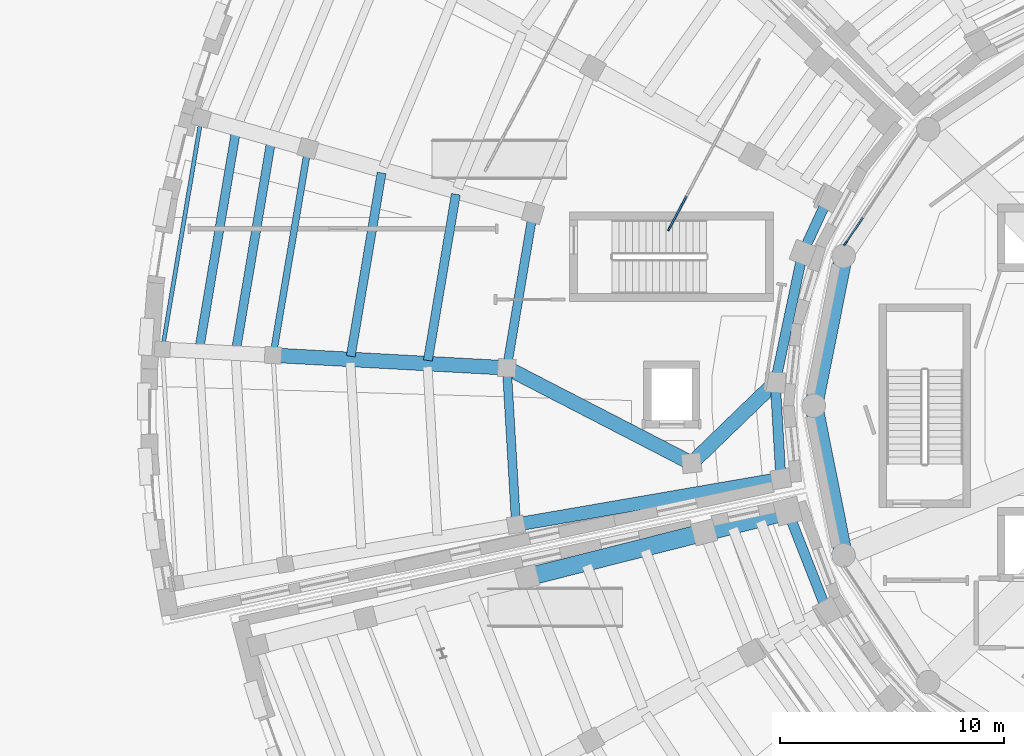
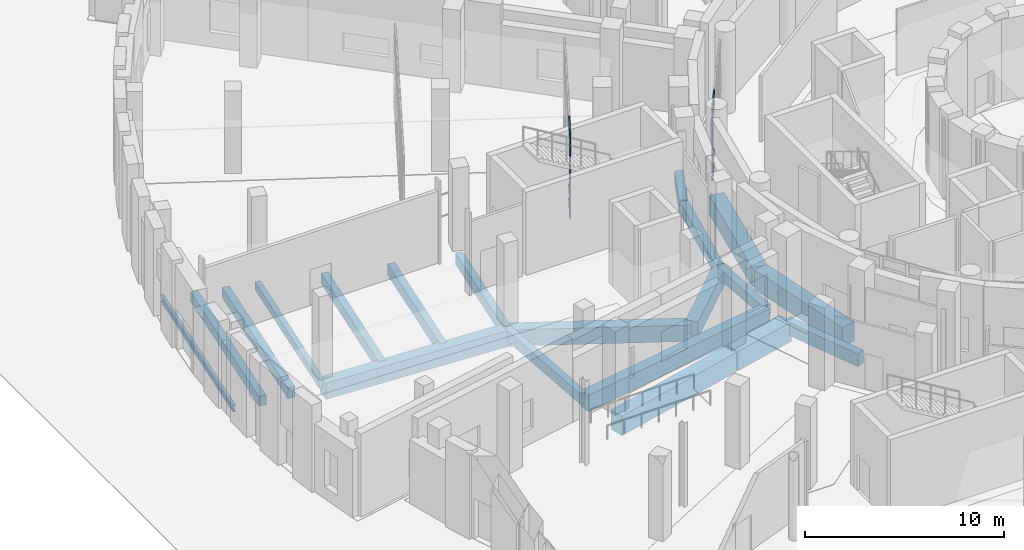
# One storey, part 12 of 74: 20 beams, 10 members, 2 elements without a shape of their own.
"""IFC4 building model written with IfcOpenShell, lengths in metres."""

from ifc_helpers import new_model, si_unit, direction, frame, origin, origin_2d, place, context, subcontext, project, spatial, rectangle, i_section, extrude, material, material_profile, profile_set, type_object, element, aggregate, save


model = new_model("IFC4")

# Units and contexts
model_context = context("Model", 3, precision=1e-05, world=origin(), true_north=direction((0.0, 1.0)))
body_context = subcontext(model_context, "Body", "Model", "MODEL_VIEW")
ifc_project = project(units=[si_unit("LENGTHUNIT", "METRE"), si_unit("AREAUNIT", "SQUARE_METRE"), si_unit("VOLUMEUNIT", "CUBIC_METRE"), si_unit("PLANEANGLEUNIT", "RADIAN"), si_unit("MASSUNIT", "GRAM", prefix="KILO")], contexts=[model_context])

# Site, building, storey
site_placement = place(None, origin())
site = spatial("IfcSite", under=ifc_project, at=site_placement, CompositionType="ELEMENT")
building_placement = place(site_placement, origin())
building = spatial("IfcBuilding", under=site, at=building_placement, Name="Soyqirgoq Riverine Aquarium", CompositionType="ELEMENT")
storey_placement = place(building_placement, origin())
storey = spatial("IfcBuildingStorey", under=building, at=storey_placement, Name="L01", CompositionType="ELEMENT", Elevation=0.0)

# Beams
ifc_material_1 = material(Name="Concrete C40/50", Category="concrete")
ifc_material_profile_1 = material_profile(ifc_material_1, rectangle(XDim=0.39990234375, YDim=0.60009765625, at=origin_2d()), Name="RC 400x600")
ifc_profile_set_1 = profile_set([ifc_material_profile_1], Name="Concrete C40/50")
beam_type_1 = type_object("IfcBeamType", Name="Beam_RC_400x600", PredefinedType="JOIST", material=ifc_profile_set_1)
beam_1_placement = place(storey_placement, frame((12.752197265625, 69.25634765625, -0.64990234375), z_axis=(-0.165906209176, -0.986141536371, 0.0), x_axis=(0.986141536371, -0.165906209176, 0.0)))
element("IfcBeam", 1, at=beam_1_placement, inside=storey, type_object=beam_type_1, Name="V3 L01 Secondary Floor Joist 0351", PredefinedType="JOIST", context=body_context, shape_type="SweptSolid", body=[
    extrude(rectangle(XDim=0.39990234375, YDim=0.60009765625, at=origin_2d()), origin(), (0.0, 0.0, 1.0), 9.82275390625),
])
ifc_material_2 = material(Name="Concrete C40/50", Category="concrete")
ifc_material_profile_2 = material_profile(ifc_material_2, rectangle(XDim=0.39990234375, YDim=0.64990234375, at=origin_2d()), Name="RC 400x650")
ifc_profile_set_2 = profile_set([ifc_material_profile_2], Name="Concrete C40/50")
beam_type_2 = type_object("IfcBeamType", Name="Beam_RC_400x650", PredefinedType="BEAM", material=ifc_profile_set_2)
beam_2_placement = place(storey_placement, frame((24.8486328125, 58.637451171875, -0.675048828125), z_axis=(0.058440332484, -0.998290903264, 0.0), x_axis=(0.998290903264, 0.058440332484, 0.0)))
element("IfcBeam", 2, at=beam_2_placement, inside=storey, type_object=beam_type_2, Name="V3 L01 Wedge Chord Beam 0333", PredefinedType="BEAM", context=body_context, shape_type="SweptSolid", body=[
    extrude(rectangle(XDim=0.39990234375, YDim=0.64990234375, at=origin_2d()), origin(), (0.0, 0.0, 1.0), 6.90966796875),
])
beam_3_placement = place(storey_placement, frame((19.255126953125, 67.3916015625, -0.675048828125), z_axis=(-0.165905626818, -0.986141634346, 0.0), x_axis=(0.986141634346, -0.165905626818, 0.0)))
element("IfcBeam", 3, at=beam_3_placement, inside=storey, type_object=beam_type_2, Name="V3 L01 Secondary Floor Joist 0339", PredefinedType="BEAM", context=body_context, shape_type="SweptSolid", body=[
    extrude(rectangle(XDim=0.39990234375, YDim=0.64990234375, at=origin_2d()), origin(), (0.0, 0.0, 1.0), 8.302490234375),
])
beam_4_placement = place(storey_placement, frame((14.322509765625, 68.80615234375, -0.675048828125), z_axis=(-0.165914452548, -0.98614014949, 0.0), x_axis=(0.98614014949, -0.165914452548, 0.0)))
element("IfcBeam", 4, at=beam_4_placement, inside=storey, type_object=beam_type_2, Name="V3 L01 Secondary Floor Joist 0350", PredefinedType="BEAM", context=body_context, shape_type="SweptSolid", body=[
    extrude(rectangle(XDim=0.39990234375, YDim=0.64990234375, at=origin_2d()), origin(), (0.0, 0.0, 1.0), 9.455810546875),
])
ifc_material_3 = material(Name="Concrete C40/50", Category="concrete")
ifc_material_profile_3 = material_profile(ifc_material_3, rectangle(XDim=0.39990234375, YDim=0.699951171875, at=origin_2d()), Name="RC 400x700")
ifc_profile_set_3 = profile_set([ifc_material_profile_3], Name="Concrete C40/50")
beam_type_3 = type_object("IfcBeamType", Name="Beam_RC_400x700", PredefinedType="BEAM", material=ifc_profile_set_3)
beam_5_placement = place(storey_placement, frame((26.000244140625, 65.550537109375, -0.699951171875), z_axis=(-0.165888516221, -0.986144512831, 0.0), x_axis=(0.986144512831, -0.165888516221, 0.0)))
element("IfcBeam", 5, at=beam_5_placement, inside=storey, type_object=beam_type_3, Name="V3 L01 Wedge Chord Beam 0332", PredefinedType="BEAM", context=body_context, shape_type="SweptSolid", body=[
    extrude(rectangle(XDim=0.39990234375, YDim=0.699951171875, at=origin_2d()), origin(), (0.0, 0.0, 1.0), 6.90966796875),
])
beam_6_placement = place(storey_placement, frame((22.570068359375, 66.441162109375, -0.699951171875), z_axis=(-0.165918682022, -0.986139437887, 0.0), x_axis=(0.986139437887, -0.165918682022, 0.0)))
element("IfcBeam", 6, at=beam_6_placement, inside=storey, type_object=beam_type_3, Name="V3 L01 Secondary Floor Joist 0338", PredefinedType="BEAM", context=body_context, shape_type="SweptSolid", body=[
    extrude(rectangle(XDim=0.39990234375, YDim=0.699951171875, at=origin_2d()), origin(), (0.0, 0.0, 1.0), 7.52783203125),
])
ifc_material_4 = material(Name="Concrete C40/50", Category="concrete")
ifc_material_profile_4 = material_profile(ifc_material_4, rectangle(XDim=0.449951171875, YDim=0.64990234375, at=origin_2d()), Name="RC 450x650")
ifc_profile_set_4 = profile_set([ifc_material_profile_4], Name="Concrete C40/50")
beam_type_4 = type_object("IfcBeamType", Name="Beam_RC_450x650", PredefinedType="BEAM", material=ifc_profile_set_4)
beam_7_placement = place(storey_placement, frame((36.8310546875, 57.98828125, -0.675048828125), z_axis=(0.058463876628, -0.998289524702, 0.0), x_axis=(0.998289524702, 0.058463876628, 0.0)))
element("IfcBeam", 7, at=beam_7_placement, inside=storey, type_object=beam_type_4, Name="V3 L01 Wedge Chord Beam 0324", PredefinedType="BEAM", context=body_context, shape_type="SweptSolid", body=[
    extrude(rectangle(XDim=0.449951171875, YDim=0.64990234375, at=origin_2d()), origin(), (0.0, 0.0, 1.0), 4.213623046875),
])
ifc_material_5 = material(Name="Concrete C40/50", Category="concrete")
ifc_material_profile_5 = material_profile(ifc_material_5, rectangle(XDim=0.449951171875, YDim=0.699951171875, at=origin_2d()), Name="RC 450x700")
ifc_profile_set_5 = profile_set([ifc_material_profile_5], Name="Concrete C40/50")
beam_type_5 = type_object("IfcBeamType", Name="Beam_RC_450x700", PredefinedType="BEAM", material=ifc_profile_set_5)
beam_8_placement = place(storey_placement, frame((38.041015625, 63.769287109375, -0.699951171875), z_axis=(-0.207065366645, -0.978327109885, 0.0), x_axis=(0.978327109885, -0.207065366645, 0.0)))
element("IfcBeam", 8, at=beam_8_placement, inside=storey, type_object=beam_type_5, Name="V3 L01 Wedge Chord Beam 0323", PredefinedType="BEAM", context=body_context, shape_type="SweptSolid", body=[
    extrude(rectangle(XDim=0.449951171875, YDim=0.699951171875, at=origin_2d()), origin(), (0.0, 0.0, 1.0), 5.80810546875),
])
ifc_material_6 = material(Name="Concrete C40/50", Category="concrete")
ifc_material_profile_6 = material_profile(ifc_material_6, rectangle(XDim=0.449951171875, YDim=0.75, at=origin_2d()), Name="RC 450x750")
ifc_profile_set_6 = profile_set([ifc_material_profile_6], Name="Concrete C40/50")
beam_type_6 = type_object("IfcBeamType", Name="Beam_RC_450x750", PredefinedType="BEAM", material=ifc_profile_set_6)
beam_9_placement = place(storey_placement, frame((39.170166015625, 66.233642578125, -0.72509765625), z_axis=(-0.420320258239, -0.907375820988, 0.0), x_axis=(0.907375820988, -0.420320258239, 0.0)))
element("IfcBeam", 9, at=beam_9_placement, inside=storey, type_object=beam_type_6, Name="V3 L01 Wedge Chord Beam 0322", PredefinedType="BEAM", context=body_context, shape_type="SweptSolid", body=[
    extrude(rectangle(XDim=0.449951171875, YDim=0.75, at=origin_2d()), origin(), (0.0, 0.0, 1.0), 2.612060546875),
])
ifc_material_7 = material(Name="Concrete C40/50", Category="concrete")
ifc_material_profile_7 = material_profile(ifc_material_7, rectangle(XDim=0.449951171875, YDim=0.800048828125, at=origin_2d()), Name="RC 450x800")
ifc_profile_set_7 = profile_set([ifc_material_profile_7], Name="Concrete C40/50")
beam_type_7 = type_object("IfcBeamType", Name="Beam_RC_450x800", PredefinedType="BEAM", material=ifc_profile_set_7)
beam_10_placement = place(storey_placement, frame((37.40478515625, 52.243408203125, -0.75), z_axis=(0.364914965548, -0.931040851907, 0.0), x_axis=(0.931040851907, 0.364914965548, 0.0)))
element("IfcBeam", 10, at=beam_10_placement, inside=storey, type_object=beam_type_7, Name="V2 L01 Wedge Chord Beam 0189", PredefinedType="BEAM", context=body_context, shape_type="SweptSolid", body=[
    extrude(rectangle(XDim=0.449951171875, YDim=0.800048828125, at=origin_2d()), origin(), (0.0, 0.0, 1.0), 4.712646484375),
])

# Curtain wall, member
ifc_material_8 = material(Name="Anodised aluminium thermally broken triple low-E glazing", Category="aluminium")
curtain_wall_type_1 = type_object("IfcCurtainWallType", Name="CW_DrumGallery_Unitised", PredefinedType="NOTDEFINED", material=ifc_material_8)
curtain_wall_1_placement = place(storey_placement, origin())
curtain_wall_1 = element("IfcCurtainWall", 11, at=curtain_wall_1_placement, inside=storey, type_object=curtain_wall_type_1, Name="V1 L01 Curtain Wall 023", PredefinedType="NOTDEFINED")
ifc_material_9 = material(Name="Anodised aluminium 6063-T6", Category="aluminium")
ifc_material_profile_8 = material_profile(ifc_material_9, rectangle(XDim=0.080078125, YDim=0.219970703125, at=origin_2d()), Name="ALU-M 80x220")
ifc_profile_set_8 = profile_set([ifc_material_profile_8], Name="Anodised aluminium 6063-T6")
member_type_1 = type_object("IfcMemberType", Name="CWMullion_80x220", PredefinedType="MULLION", material=ifc_profile_set_8)
member_1_placement = place(storey_placement, frame((39.966796875, 64.25146484375, 0.0), z_axis=(0.0, 0.0, 1.0), x_axis=(0.831467275509, -0.555573730262, 0.0)))
member_1 = element("IfcMember", 12, at=member_1_placement, type_object=member_type_1, Name="CW-01 mullion 5", PredefinedType="MULLION", context=body_context, shape_type="SweptSolid", body=[
    extrude(rectangle(XDim=0.080078125, YDim=0.219970703125, at=origin_2d()), origin(), (0.0, 0.0, 1.0), 4.550048828125),
])

ifc_material_10 = material(Name="Cast polymethyl methacrylate PMMA Habitat Viewing Glazing", Category="glass")
curtain_wall_type_2 = type_object("IfcCurtainWallType", Name="CW_Interior_TankVitrine", PredefinedType="NOTDEFINED", material=ifc_material_10)
curtain_wall_2_placement = place(storey_placement, origin())
curtain_wall_2 = element("IfcCurtainWall", 13, at=curtain_wall_2_placement, inside=storey, type_object=curtain_wall_type_2, Name="V3 L01 Curtain Wall 147", PredefinedType="NOTDEFINED")
member_2_placement = place(storey_placement, frame((32.09912109375, 64.910888671875, 0.0), z_axis=(0.0, 0.0, 1.0), x_axis=(0.882946853562, -0.469472953199, 0.0)))
member_2 = element("IfcMember", 14, at=member_2_placement, type_object=member_type_1, Name="CW-07 mullion 6", PredefinedType="MULLION", context=body_context, shape_type="SweptSolid", body=[
    extrude(rectangle(XDim=0.080078125, YDim=0.219970703125, at=origin_2d()), origin(), (0.0, 0.0, 1.0), 5.10009765625),
])

# Member
ifc_material_11 = material(Name="Anodised aluminium 6063-T6", Category="aluminium")
ifc_material_profile_9 = material_profile(ifc_material_11, rectangle(XDim=0.074951171875, YDim=0.14990234375, at=origin_2d()), Name="ALU-T 75x150")
ifc_profile_set_9 = profile_set([ifc_material_profile_9], Name="Anodised aluminium 6063-T6")
member_type_2 = type_object("IfcMemberType", Name="CWTransom_75x150", PredefinedType="USERDEFINED", material=ifc_profile_set_9)
member_3_placement = place(storey_placement, frame((40.73291015625, 65.398193359375, 0.03759765625), z_axis=(-0.555583520837, -0.831460733513, 0.0), x_axis=(0.831460733513, -0.555583520837, 0.0)))
member_3 = element("IfcMember", 15, at=member_3_placement, type_object=member_type_2, Name="CW-01 transom 4.1", ObjectType="TRANSOM", PredefinedType="USERDEFINED", context=body_context, shape_type="SweptSolid", body=[
    extrude(rectangle(XDim=0.074951171875, YDim=0.14990234375, at=origin_2d()), origin(), (0.0, 0.0, 1.0), 1.3388671875),
])

member_4_placement = place(storey_placement, frame((40.73291015625, 65.398193359375, 0.89990234375), z_axis=(-0.555583520837, -0.831460733513, 0.0), x_axis=(0.831460733513, -0.555583520837, 0.0)))
member_4 = element("IfcMember", 16, at=member_4_placement, type_object=member_type_2, Name="CW-01 transom 4.2", ObjectType="TRANSOM", PredefinedType="USERDEFINED", context=body_context, shape_type="SweptSolid", body=[
    extrude(rectangle(XDim=0.074951171875, YDim=0.14990234375, at=origin_2d()), origin(), (0.0, 0.0, 1.0), 1.3388671875),
])

member_5_placement = place(storey_placement, frame((40.73291015625, 65.398193359375, 3.85009765625), z_axis=(-0.555583520837, -0.831460733513, 0.0), x_axis=(0.831460733513, -0.555583520837, 0.0)))
member_5 = element("IfcMember", 17, at=member_5_placement, type_object=member_type_2, Name="CW-01 transom 4.3", ObjectType="TRANSOM", PredefinedType="USERDEFINED", context=body_context, shape_type="SweptSolid", body=[
    extrude(rectangle(XDim=0.074951171875, YDim=0.14990234375, at=origin_2d()), origin(), (0.0, 0.0, 1.0), 1.3388671875),
])

member_6_placement = place(storey_placement, frame((40.73291015625, 65.398193359375, 4.512451171875), z_axis=(-0.555583520837, -0.831460733513, 0.0), x_axis=(0.831460733513, -0.555583520837, 0.0)))
member_6 = element("IfcMember", 18, at=member_6_placement, type_object=member_type_2, Name="CW-01 transom 4.4", ObjectType="TRANSOM", PredefinedType="USERDEFINED", context=body_context, shape_type="SweptSolid", body=[
    extrude(rectangle(XDim=0.074951171875, YDim=0.14990234375, at=origin_2d()), origin(), (0.0, 0.0, 1.0), 1.3388671875),
])

aggregate(curtain_wall_1, [member_1, member_3, member_4, member_5, member_6])

member_7_placement = place(storey_placement, frame((32.864501953125, 66.350341796875, 0.03759765625), z_axis=(-0.46942457219, -0.882972576598, 0.0), x_axis=(0.882972576598, -0.46942457219, 0.0)))
member_7 = element("IfcMember", 19, at=member_7_placement, type_object=member_type_2, Name="CW-07 transom 5.1", ObjectType="TRANSOM", PredefinedType="USERDEFINED", context=body_context, shape_type="SweptSolid", body=[
    extrude(rectangle(XDim=0.074951171875, YDim=0.14990234375, at=origin_2d()), origin(), (0.0, 0.0, 1.0), 1.59033203125),
])

member_8_placement = place(storey_placement, frame((32.864501953125, 66.350341796875, 0.89990234375), z_axis=(-0.46942457219, -0.882972576598, 0.0), x_axis=(0.882972576598, -0.46942457219, 0.0)))
member_8 = element("IfcMember", 20, at=member_8_placement, type_object=member_type_2, Name="CW-07 transom 5.2", ObjectType="TRANSOM", PredefinedType="USERDEFINED", context=body_context, shape_type="SweptSolid", body=[
    extrude(rectangle(XDim=0.074951171875, YDim=0.14990234375, at=origin_2d()), origin(), (0.0, 0.0, 1.0), 1.59033203125),
])

member_9_placement = place(storey_placement, frame((32.864501953125, 66.350341796875, 4.39990234375), z_axis=(-0.46942457219, -0.882972576598, 0.0), x_axis=(0.882972576598, -0.46942457219, 0.0)))
member_9 = element("IfcMember", 21, at=member_9_placement, type_object=member_type_2, Name="CW-07 transom 5.3", ObjectType="TRANSOM", PredefinedType="USERDEFINED", context=body_context, shape_type="SweptSolid", body=[
    extrude(rectangle(XDim=0.074951171875, YDim=0.14990234375, at=origin_2d()), origin(), (0.0, 0.0, 1.0), 1.59033203125),
])

member_10_placement = place(storey_placement, frame((32.864501953125, 66.350341796875, 5.0625), z_axis=(-0.46942457219, -0.882972576598, 0.0), x_axis=(0.882972576598, -0.46942457219, 0.0)))
member_10 = element("IfcMember", 22, at=member_10_placement, type_object=member_type_2, Name="CW-07 transom 5.4", ObjectType="TRANSOM", PredefinedType="USERDEFINED", context=body_context, shape_type="SweptSolid", body=[
    extrude(rectangle(XDim=0.074951171875, YDim=0.14990234375, at=origin_2d()), origin(), (0.0, 0.0, 1.0), 1.59033203125),
])

aggregate(curtain_wall_2, [member_2, member_7, member_8, member_9, member_10])

# Beams
ifc_material_12 = material(Name="Concrete C40/50", Category="concrete")
ifc_material_profile_10 = material_profile(ifc_material_12, rectangle(XDim=0.60009765625, YDim=1.0, at=origin_2d()), Name="RC 600x1000")
ifc_profile_set_10 = profile_set([ifc_material_profile_10], Name="Concrete C40/50")
beam_type_8 = type_object("IfcBeamType", Name="Girder_RC_600x1000", PredefinedType="BEAM", material=ifc_profile_set_10)
beam_11_placement = place(storey_placement, frame((37.031005859375, 53.723388671875, -0.85009765625), z_axis=(-0.985409255208, -0.17020164438, 0.0), x_axis=(0.17020164438, -0.985409255208, 0.0)))
element("IfcBeam", 23, at=beam_11_placement, inside=storey, type_object=beam_type_8, Name="V3 L01 Wedge Radial Girder 0318", PredefinedType="BEAM", context=body_context, shape_type="SweptSolid", body=[
    extrude(rectangle(XDim=0.60009765625, YDim=1.0, at=origin_2d()), origin(), (0.0, 0.0, 1.0), 11.89990234375),
])
ifc_material_13 = material(Name="Concrete C40/50", Category="concrete")
ifc_material_profile_11 = material_profile(ifc_material_13, rectangle(XDim=0.64990234375, YDim=1.0, at=origin_2d()), Name="RC 650x1000")
ifc_profile_set_11 = profile_set([ifc_material_profile_11], Name="Concrete C40/50")
beam_type_9 = type_object("IfcBeamType", Name="Girder_RC_650x1000", PredefinedType="BEAM", material=ifc_profile_set_11)
beam_12_placement = place(storey_placement, frame((36.7919921875, 58.003662109375, -0.85009765625), z_axis=(-0.719179208553, -0.694824629662, 0.0), x_axis=(0.694824629662, -0.719179208553, 0.0)))
element("IfcBeam", 24, at=beam_12_placement, inside=storey, type_object=beam_type_9, Name="V3 L01 Wedge Radial Girder 0314", PredefinedType="BEAM", context=body_context, shape_type="SweptSolid", body=[
    extrude(rectangle(XDim=0.64990234375, YDim=1.0, at=origin_2d()), origin(), (0.0, 0.0, 1.0), 5.092529296875),
])
beam_13_placement = place(storey_placement, frame((33.04931640625, 54.45361328125, -0.85009765625), z_axis=(-0.88864267975, 0.458600248284, 0.0), x_axis=(-0.458600248284, -0.88864267975, 0.0)))
element("IfcBeam", 25, at=beam_13_placement, inside=storey, type_object=beam_type_9, Name="V3 L01 Wedge Radial Girder 0315", PredefinedType="BEAM", context=body_context, shape_type="SweptSolid", body=[
    extrude(rectangle(XDim=0.64990234375, YDim=1.0, at=origin_2d()), origin(), (0.0, 0.0, 1.0), 9.181640625),
])
beam_14_placement = place(storey_placement, frame((24.7958984375, 58.68994140625, -0.85009765625), z_axis=(-0.998536254205, 0.054086495899, 0.0), x_axis=(-0.054086495899, -0.998536254205, 0.0)))
element("IfcBeam", 26, at=beam_14_placement, inside=storey, type_object=beam_type_9, Name="V3 L01 Wedge Radial Girder 0316", PredefinedType="BEAM", context=body_context, shape_type="SweptSolid", body=[
    extrude(rectangle(XDim=0.64990234375, YDim=1.0, at=origin_2d()), origin(), (0.0, 0.0, 1.0), 10.350341796875),
])
ifc_material_14 = material(Name="Concrete C40/50", Category="concrete")
ifc_material_profile_12 = material_profile(ifc_material_14, rectangle(XDim=0.800048828125, YDim=1.199951171875, at=origin_2d()), Name="RC 800x1200")
ifc_profile_set_12 = profile_set([ifc_material_profile_12], Name="Concrete C40/50")
beam_type_10 = type_object("IfcBeamType", Name="Girder_RC_800x1200", PredefinedType="BEAM", material=ifc_profile_set_12)
for number, where, z_axis, x_axis, name in (
    (27, (39.868408203125, 63.62890625, -1.050048828125), (-0.195059263618, -0.980791457792, 0.0), (0.980791457792, -0.195059263618, 0.0), "V1 L01 Drum Ring Girder 0013"),
    (28, (38.559814453125, 56.950927734375, -1.050048828125), (0.195059263618, -0.980791457792, 0.0), (0.980791457792, 0.195059263618, 0.0), "V1 L01 Drum Ring Girder 0014"),
):
    element("IfcBeam", number, at=place(storey_placement, frame(where, z_axis=z_axis, x_axis=x_axis)), inside=storey, type_object=beam_type_10, Name=name, PredefinedType="BEAM", context=body_context, shape_type="SweptSolid", body=[
        extrude(rectangle(XDim=0.800048828125, YDim=1.199951171875, at=origin_2d()), origin(), (0.0, 0.0, 1.0), 6.708740234375),
    ])
beam_15_placement = place(storey_placement, frame((37.338134765625, 52.27783203125, -0.949951171875), z_axis=(-0.969441467133, -0.245322729896, 0.0), x_axis=(0.245322729896, -0.969441467133, 0.0)))
element("IfcBeam", 29, at=beam_15_placement, inside=storey, type_object=beam_type_10, Name="V2 L01 Wedge Radial Girder 0170", PredefinedType="BEAM", context=body_context, shape_type="SweptSolid", body=[
    extrude(rectangle(XDim=0.800048828125, YDim=1.199951171875, at=origin_2d()), origin(), (0.0, 0.0, 1.0), 3.749755859375),
])
beam_16_placement = place(storey_placement, frame((33.605712890625, 51.33349609375, -0.949951171875), z_axis=(-0.969440939126, -0.245324816411, 0.0), x_axis=(0.245324816411, -0.969440939126, 0.0)))
element("IfcBeam", 30, at=beam_16_placement, inside=storey, type_object=beam_type_10, Name="V2 L01 Wedge Radial Girder 0171", PredefinedType="BEAM", context=body_context, shape_type="SweptSolid", body=[
    extrude(rectangle(XDim=0.800048828125, YDim=1.199951171875, at=origin_2d()), origin(), (0.0, 0.0, 1.0), 8.050048828125),
])
ifc_material_15 = material(Name="Concrete C40/50", Category="concrete")
ifc_material_profile_13 = material_profile(ifc_material_15, rectangle(XDim=0.300048828125, YDim=0.5, at=origin_2d()), Name="RC 300x500")
ifc_profile_set_13 = profile_set([ifc_material_profile_13], Name="Concrete C40/50")
beam_type_11 = type_object("IfcBeamType", Name="Spandrel_RC_300x500", PredefinedType="SPANDREL", material=ifc_profile_set_13)
beam_17_placement = place(storey_placement, frame((15.955078125, 68.430908203125, -0.60009765625), z_axis=(-0.165908433428, -0.986141162166, 0.0), x_axis=(0.986141162166, -0.165908433428, 0.0)))
element("IfcBeam", 31, at=beam_17_placement, inside=storey, type_object=beam_type_11, Name="V3 L01 Wedge Chord Beam 0344", PredefinedType="SPANDREL", context=body_context, shape_type="SweptSolid", body=[
    extrude(rectangle(XDim=0.300048828125, YDim=0.5, at=origin_2d()), origin(), (0.0, 0.0, 1.0), 9.257568359375),
])
ifc_material_16 = material(Name="Structural steel S355", Category="steel")
ifc_material_profile_14 = material_profile(ifc_material_16, i_section(OverallWidth=0.179931640625, OverallDepth=0.39990234375, WebThickness=0.008544921875, FlangeThickness=0.013427734375, FilletRadius=0.02099609375, at=origin_2d()), Name="IPE 400")
ifc_profile_set_14 = profile_set([ifc_material_profile_14], Name="Structural steel S355")
beam_type_12 = type_object("IfcBeamType", Name="Spandrel_Steel_IPE400", PredefinedType="SPANDREL", material=ifc_profile_set_14)
beam_18_placement = place(storey_placement, frame((11.197021484375, 69.79541015625, -0.550048828125), z_axis=(-0.165910665229, -0.986140786685, 0.0), x_axis=(0.986140786685, -0.165910665229, 0.0)))
element("IfcBeam", 32, at=beam_18_placement, inside=storey, type_object=beam_type_12, Name="V3 L01 Wedge Chord Beam 0356", PredefinedType="SPANDREL", context=body_context, shape_type="SweptSolid", body=[
    extrude(i_section(OverallWidth=0.179931640625, OverallDepth=0.39990234375, WebThickness=0.008544921875, FlangeThickness=0.013427734375, FilletRadius=0.02099609375, at=origin_2d()), origin(), (0.0, 0.0, 1.0), 10.369873046875),
])

save(model, "model.ifc")
